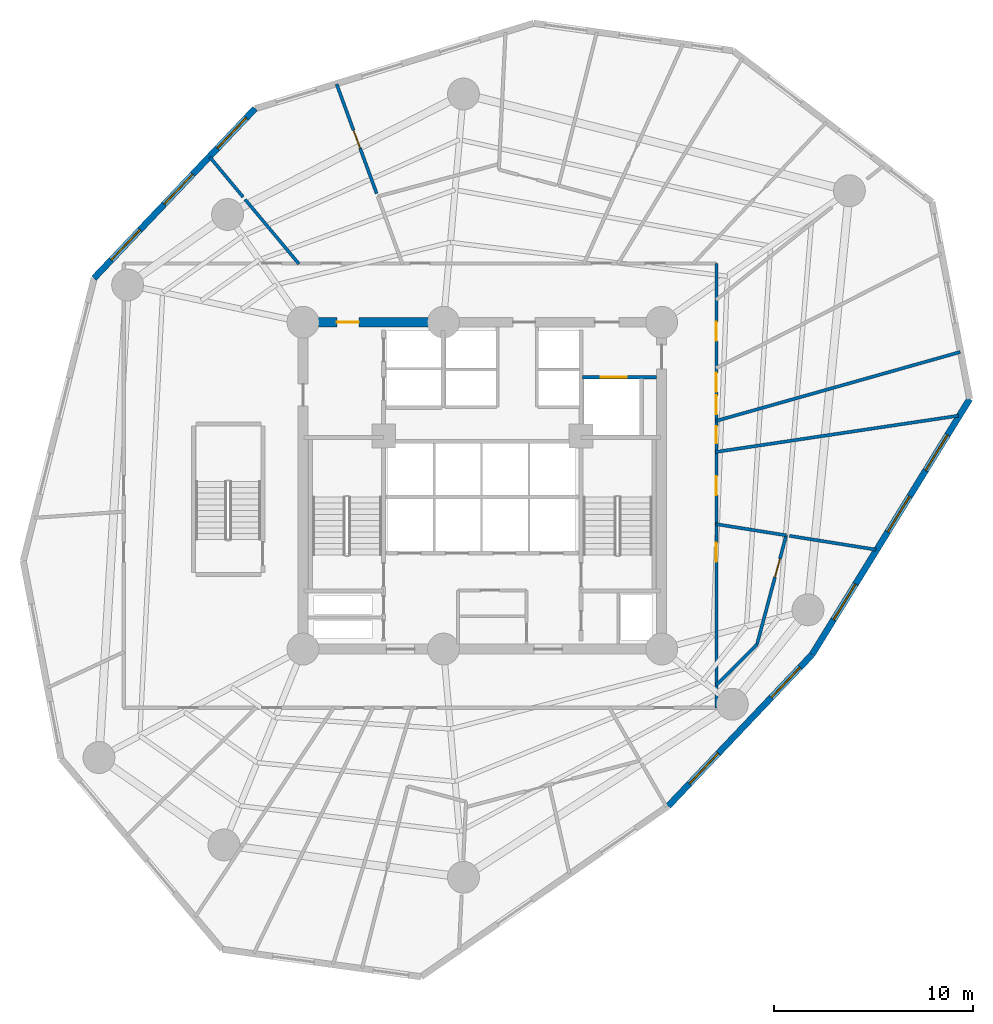
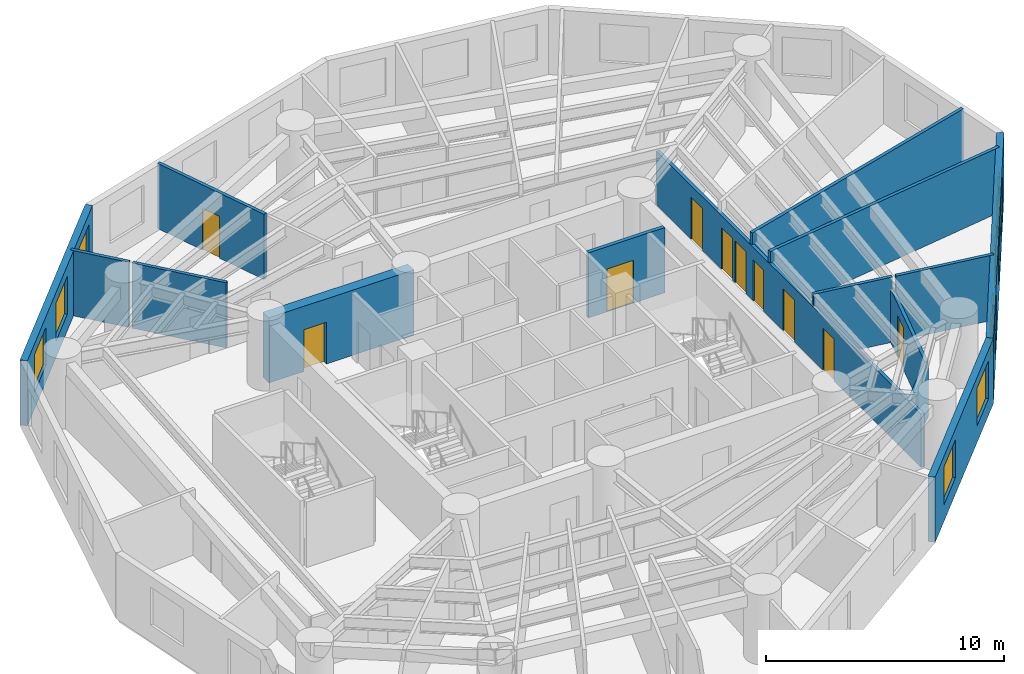
# One storey, part 5 of 8: 15 walls, 10 doors, 8 windows, 18 openings.
"""IFC4 building model written with IfcOpenShell, lengths in metres."""

from ifc_helpers import new_model, si_unit, direction, frame, frame_2d, origin, origin_with_axes, place, context, subcontext, project, spatial, rectangle, extrude, source, transform, mapped, material, layer, layer_set, type_object, element, fill, save


model = new_model("IFC4")

# Units and contexts
model_context = context("Model", 3, precision=1e-05, world=origin(), true_north=direction((0.0, 1.0)))
body_context = subcontext(model_context, "Body", "Model", "MODEL_VIEW")
ifc_project = project(units=[si_unit("LENGTHUNIT", "METRE"), si_unit("AREAUNIT", "SQUARE_METRE"), si_unit("VOLUMEUNIT", "CUBIC_METRE"), si_unit("PLANEANGLEUNIT", "RADIAN"), si_unit("MASSUNIT", "GRAM", prefix="KILO")], contexts=[model_context])

# Site, building, storey
site_placement = place(None, origin())
site = spatial("IfcSite", under=ifc_project, at=site_placement, CompositionType="ELEMENT")
building_placement = place(site_placement, origin())
building = spatial("IfcBuilding", under=site, at=building_placement, Name="Karkom Vertical University and Central Library", CompositionType="ELEMENT")
storey_placement = place(building_placement, frame((0.0, 0.0, 76.89990234375)))
storey = spatial("IfcBuildingStorey", under=building, at=storey_placement, Name="L20", CompositionType="ELEMENT", Elevation=76.89990234375)

# Wall, openings, windows
ifc_material_1 = material(Name="Brick-faced precast concrete C45/55", Category="masonry")
ifc_layer_1 = layer(ifc_material_1, 0.320068359375)
ifc_layer_set_1 = layer_set([ifc_layer_1], Name="Brick-faced precast concrete C45/55")
wall_type_1 = type_object("IfcWallType", Name="ENV-WL-BRK-320", PredefinedType="SOLIDWALL", material=ifc_layer_set_1)
wall_1_placement = place(storey_placement, frame((17.094970703125, 45.425537109375, 0.0), z_axis=(0.0, 0.0, 1.0), x_axis=(-0.688601333213, -0.725140127077, 0.0)))
wall_1 = element("IfcWall", 1, at=wall_1_placement, inside=storey, type_object=wall_type_1, Name="Level 20 Brick-Faced Precast Facade Wall 01", PredefinedType="SOLIDWALL", context=body_context, shape_type="SweptSolid", body=[
    extrude(rectangle(XDim=11.73974609375, YDim=0.320068359375, at=frame_2d((5.869873046875, 0.0))), origin(), (0.0, 0.0, 1.0), 3.35009765625),
])
opening_1_placement = place(wall_1_placement, frame((0.647705078125, 0.0, 0.85009765625)))
opening_1 = element("IfcOpeningElement", 2, at=opening_1_placement, cuts=wall_1, Name="Opening WN-03", PredefinedType="OPENING", context=body_context, shape_type="SweptSolid", body=[
    extrude(rectangle(XDim=2.10009765625, YDim=1.949951171875, at=frame_2d((1.050048828125, 0.97509765625))), frame((0.0, 0.169921875, 0.0), z_axis=(0.0, -1.0, 0.0), x_axis=(1.0, 0.0, 0.0)), (0.0, 0.0, 1.0), 0.340087890625),
])
opening_2_placement = place(wall_1_placement, frame((4.53125, 0.0, 0.85009765625)))
opening_2 = element("IfcOpeningElement", 3, at=opening_2_placement, cuts=wall_1, Name="Opening WN-03", PredefinedType="OPENING", context=body_context, shape_type="SweptSolid", body=[
    extrude(rectangle(XDim=2.10009765625, YDim=1.949951171875, at=frame_2d((1.050048828125, 0.97509765625))), frame((0.0, 0.169921875, 0.0), z_axis=(0.0, -1.0, 0.0), x_axis=(1.0, 0.0, 0.0)), (0.0, 0.0, 1.0), 0.340087890625),
])
opening_3_placement = place(wall_1_placement, frame((8.383544921875, 0.0, 0.85009765625)))
opening_3 = element("IfcOpeningElement", 4, at=opening_3_placement, cuts=wall_1, Name="Opening WN-03", PredefinedType="OPENING", context=body_context, shape_type="SweptSolid", body=[
    extrude(rectangle(XDim=2.10009765625, YDim=1.949951171875, at=frame_2d((1.050048828125, 0.97509765625))), frame((0.0, 0.169921875, 0.0), z_axis=(0.0, -1.0, 0.0), x_axis=(1.0, 0.0, 0.0)), (0.0, 0.0, 1.0), 0.340087890625),
])
ifc_material_2 = material(Name="Aluminium thermal-break frame with solar-control IGU", Category="aluminium")
window_type = type_object("IfcWindowType", Name="ENV-WIN-WN-03", PartitioningType="SINGLE_PANEL", PredefinedType="WINDOW", material=ifc_material_2)
shared_shape_1 = source(origin_with_axes(), body_context, "Body", "SweptSolid", [
    extrude(rectangle(XDim=2.10009765625, YDim=1.949951171875, at=frame_2d((1.050048828125, 0.97509765625))), frame((0.0, 0.030029296875, 0.0), z_axis=(0.0, -1.0, 0.0), x_axis=(1.0, 0.0, 0.0)), (0.0, 0.0, 1.0), 0.06005859375),
])
window_1_placement = place(opening_1_placement, origin())
window_1 = element("IfcWindow", 5, at=window_1_placement, inside=storey, type_object=window_type, Name="Level 20 Punched Window 1.1", OverallHeight=1.949951171875, OverallWidth=2.10009765625, PartitioningType="SINGLE_PANEL", PredefinedType="WINDOW", context=body_context, shape_type="MappedRepresentation", body=[
    mapped(shared_shape_1, transform((0.0, 0.0, 0.0), scale=1.0)),
])
fill(opening_1, window_1)
window_2_placement = place(opening_2_placement, origin())
window_2 = element("IfcWindow", 6, at=window_2_placement, inside=storey, type_object=window_type, Name="Level 20 Punched Window 1.2", OverallHeight=1.949951171875, OverallWidth=2.10009765625, PartitioningType="SINGLE_PANEL", PredefinedType="WINDOW", context=body_context, shape_type="MappedRepresentation", body=[
    mapped(shared_shape_1, transform((0.0, 0.0, 0.0), scale=1.0)),
])
fill(opening_2, window_2)
window_3_placement = place(opening_3_placement, origin())
window_3 = element("IfcWindow", 7, at=window_3_placement, inside=storey, type_object=window_type, Name="Level 20 Punched Window 1.3", OverallHeight=1.949951171875, OverallWidth=2.10009765625, PartitioningType="SINGLE_PANEL", PredefinedType="WINDOW", context=body_context, shape_type="MappedRepresentation", body=[
    mapped(shared_shape_1, transform((0.0, 0.0, 0.0), scale=1.0)),
])
fill(opening_3, window_3)

wall_2_placement = place(storey_placement, frame((37.825439453125, 10.417236328125, 0.0), z_axis=(0.0, 0.0, 1.0), x_axis=(0.688609262867, 0.725132596905, 0.0)))
wall_2 = element("IfcWall", 8, at=wall_2_placement, inside=storey, type_object=wall_type_1, Name="Level 20 Brick-Faced Precast Facade Wall 07", PredefinedType="SOLIDWALL", context=body_context, shape_type="SweptSolid", body=[
    extrude(rectangle(XDim=10.481201171875, YDim=0.320068359375, at=frame_2d((5.24072265625, 0.0))), origin(), (0.0, 0.0, 1.0), 3.35009765625),
])
opening_4_placement = place(wall_2_placement, frame((1.552490234375, 0.0, 0.85009765625)))
opening_4 = element("IfcOpeningElement", 9, at=opening_4_placement, cuts=wall_2, Name="Opening WN-03", PredefinedType="OPENING", context=body_context, shape_type="SweptSolid", body=[
    extrude(rectangle(XDim=2.10009765625, YDim=1.949951171875, at=frame_2d((1.050048828125, 0.97509765625))), frame((0.0, 0.169921875, 0.0), z_axis=(0.0, -1.0, 0.0), x_axis=(1.0, 0.0, 0.0)), (0.0, 0.0, 1.0), 0.340087890625),
])
opening_5_placement = place(wall_2_placement, frame((7.51318359375, 0.0, 0.85009765625)))
opening_5 = element("IfcOpeningElement", 10, at=opening_5_placement, cuts=wall_2, Name="Opening WN-03", PredefinedType="OPENING", context=body_context, shape_type="SweptSolid", body=[
    extrude(rectangle(XDim=2.10009765625, YDim=1.949951171875, at=frame_2d((1.050048828125, 0.97509765625))), frame((0.0, 0.169921875, 0.0), z_axis=(0.0, -1.0, 0.0), x_axis=(1.0, 0.0, 0.0)), (0.0, 0.0, 1.0), 0.340087890625),
])
window_4_placement = place(opening_4_placement, origin())
window_4 = element("IfcWindow", 11, at=window_4_placement, inside=storey, type_object=window_type, Name="Level 20 Punched Window 7.1", OverallHeight=1.949951171875, OverallWidth=2.10009765625, PartitioningType="SINGLE_PANEL", PredefinedType="WINDOW", context=body_context, shape_type="MappedRepresentation", body=[
    mapped(shared_shape_1, transform((0.0, 0.0, 0.0), scale=1.0)),
])
fill(opening_4, window_4)
window_5_placement = place(opening_5_placement, origin())
window_5 = element("IfcWindow", 12, at=window_5_placement, inside=storey, type_object=window_type, Name="Level 20 Punched Window 7.2", OverallHeight=1.949951171875, OverallWidth=2.10009765625, PartitioningType="SINGLE_PANEL", PredefinedType="WINDOW", context=body_context, shape_type="MappedRepresentation", body=[
    mapped(shared_shape_1, transform((0.0, 0.0, 0.0), scale=1.0)),
])
fill(opening_5, window_5)

wall_3_placement = place(storey_placement, frame((45.04296875, 18.017578125, 0.0), z_axis=(0.0, 0.0, 1.0), x_axis=(0.525018733496, 0.851090670539, 0.0)))
wall_3 = element("IfcWall", 13, at=wall_3_placement, inside=storey, type_object=wall_type_1, Name="Level 20 Brick-Faced Precast Facade Wall 08", PredefinedType="SOLIDWALL", context=body_context, shape_type="SweptSolid", body=[
    extrude(rectangle(XDim=15.07568359375, YDim=0.320068359375, at=frame_2d((7.537841796875, 0.0))), origin(), (0.0, 0.0, 1.0), 3.35009765625),
])
opening_6_placement = place(wall_3_placement, frame((2.060302734375, 0.0, 0.85009765625)))
opening_6 = element("IfcOpeningElement", 14, at=opening_6_placement, cuts=wall_3, Name="Opening WN-03", PredefinedType="OPENING", context=body_context, shape_type="SweptSolid", body=[
    extrude(rectangle(XDim=2.10009765625, YDim=1.949951171875, at=frame_2d((1.050048828125, 0.97509765625))), frame((0.0, 0.169921875, 0.0), z_axis=(0.0, -1.0, 0.0), x_axis=(1.0, 0.0, 0.0)), (0.0, 0.0, 1.0), 0.340087890625),
])
opening_7_placement = place(wall_3_placement, frame((7.241455078125, 0.0, 0.85009765625)))
opening_7 = element("IfcOpeningElement", 15, at=opening_7_placement, cuts=wall_3, Name="Opening WN-03", PredefinedType="OPENING", context=body_context, shape_type="SweptSolid", body=[
    extrude(rectangle(XDim=2.10009765625, YDim=1.949951171875, at=frame_2d((1.050048828125, 0.97509765625))), frame((0.0, 0.169921875, 0.0), z_axis=(0.0, -1.0, 0.0), x_axis=(1.0, 0.0, 0.0)), (0.0, 0.0, 1.0), 0.340087890625),
])
opening_8_placement = place(wall_3_placement, frame((10.86328125, 0.0, 0.85009765625)))
opening_8 = element("IfcOpeningElement", 16, at=opening_8_placement, cuts=wall_3, Name="Opening WN-03", PredefinedType="OPENING", context=body_context, shape_type="SweptSolid", body=[
    extrude(rectangle(XDim=2.10009765625, YDim=1.949951171875, at=frame_2d((1.050048828125, 0.97509765625))), frame((0.0, 0.169921875, 0.0), z_axis=(0.0, -1.0, 0.0), x_axis=(1.0, 0.0, 0.0)), (0.0, 0.0, 1.0), 0.340087890625),
])
window_6_placement = place(opening_6_placement, origin())
window_6 = element("IfcWindow", 17, at=window_6_placement, inside=storey, type_object=window_type, Name="Level 20 Punched Window 8.1", OverallHeight=1.949951171875, OverallWidth=2.10009765625, PartitioningType="SINGLE_PANEL", PredefinedType="WINDOW", context=body_context, shape_type="MappedRepresentation", body=[
    mapped(shared_shape_1, transform((0.0, 0.0, 0.0), scale=1.0)),
])
fill(opening_6, window_6)
window_7_placement = place(opening_7_placement, origin())
window_7 = element("IfcWindow", 18, at=window_7_placement, inside=storey, type_object=window_type, Name="Level 20 Punched Window 8.2", OverallHeight=1.949951171875, OverallWidth=2.10009765625, PartitioningType="SINGLE_PANEL", PredefinedType="WINDOW", context=body_context, shape_type="MappedRepresentation", body=[
    mapped(shared_shape_1, transform((0.0, 0.0, 0.0), scale=1.0)),
])
fill(opening_7, window_7)
window_8_placement = place(opening_8_placement, origin())
window_8 = element("IfcWindow", 19, at=window_8_placement, inside=storey, type_object=window_type, Name="Level 20 Punched Window 8.3", OverallHeight=1.949951171875, OverallWidth=2.10009765625, PartitioningType="SINGLE_PANEL", PredefinedType="WINDOW", context=body_context, shape_type="MappedRepresentation", body=[
    mapped(shared_shape_1, transform((0.0, 0.0, 0.0), scale=1.0)),
])
fill(opening_8, window_8)

# Wall, openings, doors
ifc_material_3 = material(Name="Insulated metal-stud drywall 160mm", Category="gypsum")
ifc_layer_2 = layer(ifc_material_3, 0.159912109375)
ifc_layer_set_2 = layer_set([ifc_layer_2], Name="Insulated metal-stud drywall 160mm")
wall_type_2 = type_object("IfcWallType", Name="INT-WL-COR-160", PredefinedType="PARTITIONING", material=ifc_layer_set_2)
wall_4_placement = place(storey_placement, frame((40.25, 37.64990234375, 0.0), z_axis=(0.0, 0.0, 1.0), x_axis=(0.0, -1.0, 0.0)))
wall_4 = element("IfcWall", 20, at=wall_4_placement, inside=storey, type_object=wall_type_2, Name="Level 20 Interior Partition Wall L20-CORW-CW-004", PredefinedType="PARTITIONING", context=body_context, shape_type="SweptSolid", body=[
    extrude(rectangle(XDim=22.2998046875, YDim=0.159912109375, at=frame_2d((11.14990234375, 0.0))), origin(), (0.0, 0.0, 1.0), 2.75),
])
opening_9_placement = place(wall_4_placement, frame((14.02001953125, 0.0, 0.0)))
opening_9 = element("IfcOpeningElement", 21, at=opening_9_placement, cuts=wall_4, Name="Opening D-RM1", PredefinedType="OPENING", context=body_context, shape_type="SweptSolid", body=[
    extrude(rectangle(XDim=0.949951171875, YDim=2.14990234375, at=frame_2d((0.47509765625, 1.074951171875))), frame((0.0, 0.08984375, 0.0), z_axis=(0.0, -1.0, 0.0), x_axis=(1.0, 0.0, 0.0)), (0.0, 0.0, 1.0), 0.179931640625),
])
opening_10_placement = place(wall_4_placement, frame((10.675048828125, 0.0, 0.0)))
opening_10 = element("IfcOpeningElement", 22, at=opening_10_placement, cuts=wall_4, Name="Opening D-RM1", PredefinedType="OPENING", context=body_context, shape_type="SweptSolid", body=[
    extrude(rectangle(XDim=0.949951171875, YDim=2.14990234375, at=frame_2d((0.47509765625, 1.074951171875))), frame((0.0, 0.08984375, 0.0), z_axis=(0.0, -1.0, 0.0), x_axis=(1.0, 0.0, 0.0)), (0.0, 0.0, 1.0), 0.179931640625),
])
opening_11_placement = place(wall_4_placement, frame((8.1669921875, 0.0, 0.0)))
opening_11 = element("IfcOpeningElement", 23, at=opening_11_placement, cuts=wall_4, Name="Opening D-BATH", PredefinedType="OPENING", context=body_context, shape_type="SweptSolid", body=[
    extrude(rectangle(XDim=0.860107421875, YDim=2.10009765625, at=frame_2d((0.43017578125, 1.050048828125))), frame((0.0, 0.08984375, 0.0), z_axis=(0.0, -1.0, 0.0), x_axis=(1.0, 0.0, 0.0)), (0.0, 0.0, 1.0), 0.179931640625),
])
opening_12_placement = place(wall_4_placement, frame((5.489990234375, 0.0, 0.0)))
opening_12 = element("IfcOpeningElement", 24, at=opening_12_placement, cuts=wall_4, Name="Opening D-RM1", PredefinedType="OPENING", context=body_context, shape_type="SweptSolid", body=[
    extrude(rectangle(XDim=0.949951171875, YDim=2.14990234375, at=frame_2d((0.47509765625, 1.074951171875))), frame((0.0, 0.08984375, 0.0), z_axis=(0.0, -1.0, 0.0), x_axis=(1.0, 0.0, 0.0)), (0.0, 0.0, 1.0), 0.179931640625),
])
opening_13_placement = place(wall_4_placement, frame((2.931884765625, 0.0, 0.0)))
opening_13 = element("IfcOpeningElement", 25, at=opening_13_placement, cuts=wall_4, Name="Opening D-RM1", PredefinedType="OPENING", context=body_context, shape_type="SweptSolid", body=[
    extrude(rectangle(XDim=0.949951171875, YDim=2.14990234375, at=frame_2d((0.47509765625, 1.074951171875))), frame((0.0, 0.08984375, 0.0), z_axis=(0.0, -1.0, 0.0), x_axis=(1.0, 0.0, 0.0)), (0.0, 0.0, 1.0), 0.179931640625),
])
opening_14_placement = place(wall_4_placement, frame((6.622314453125, 0.0, 0.0)))
opening_14 = element("IfcOpeningElement", 26, at=opening_14_placement, cuts=wall_4, Name="Opening D-RM1", PredefinedType="OPENING", context=body_context, shape_type="SweptSolid", body=[
    extrude(rectangle(XDim=0.949951171875, YDim=2.14990234375, at=frame_2d((0.47509765625, 1.074951171875))), frame((0.0, 0.08984375, 0.0), z_axis=(0.0, -1.0, 0.0), x_axis=(1.0, 0.0, 0.0)), (0.0, 0.0, 1.0), 0.179931640625),
])
ifc_material_4 = material(Name="Moisture-resistant oak door", Category="wood")
door_type_1 = type_object("IfcDoorType", Name="INT-DR-BATH", OperationType="NOTDEFINED", PredefinedType="DOOR", material=ifc_material_4)
shared_shape_2 = source(origin_with_axes(), body_context, "Body", "SweptSolid", [
    extrude(rectangle(XDim=0.860107421875, YDim=2.10009765625, at=frame_2d((0.43017578125, 1.050048828125))), frame((0.0, 0.02490234375, 0.0), z_axis=(0.0, -1.0, 0.0), x_axis=(1.0, 0.0, 0.0)), (0.0, 0.0, 1.0), 0.050048828125),
])
door_1_placement = place(opening_11_placement, origin())
door_1 = element("IfcDoor", 27, at=door_1_placement, inside=storey, type_object=door_type_1, Name="Level 20 Room Entry Door 130", OperationType="SINGLE_SWING_LEFT", OverallHeight=2.10009765625, OverallWidth=0.860107421875, PredefinedType="DOOR", context=body_context, shape_type="MappedRepresentation", body=[
    mapped(shared_shape_2, transform((0.0, 0.0, 0.0), scale=1.0)),
])
fill(opening_11, door_1)
ifc_material_5 = material(Name="Solid-core oak veneer door", Category="wood")
door_type_2 = type_object("IfcDoorType", Name="INT-DR-RM1", OperationType="NOTDEFINED", PredefinedType="DOOR", material=ifc_material_5)
shared_shape_3 = source(origin_with_axes(), body_context, "Body", "SweptSolid", [
    extrude(rectangle(XDim=0.949951171875, YDim=2.14990234375, at=frame_2d((0.47509765625, 1.074951171875))), frame((0.0, 0.02490234375, 0.0), z_axis=(0.0, -1.0, 0.0), x_axis=(1.0, 0.0, 0.0)), (0.0, 0.0, 1.0), 0.050048828125),
])
door_2_placement = place(opening_9_placement, origin())
door_2 = element("IfcDoor", 28, at=door_2_placement, inside=storey, type_object=door_type_2, Name="Level 20 Room Entry Door 100", OperationType="SINGLE_SWING_LEFT", OverallHeight=2.14990234375, OverallWidth=0.949951171875, PredefinedType="DOOR", context=body_context, shape_type="MappedRepresentation", body=[
    mapped(shared_shape_3, transform((0.0, 0.0, 0.0), scale=1.0)),
])
fill(opening_9, door_2)
door_3_placement = place(opening_10_placement, origin())
door_3 = element("IfcDoor", 29, at=door_3_placement, inside=storey, type_object=door_type_2, Name="Level 20 Room Entry Door 120", OperationType="SINGLE_SWING_RIGHT", OverallHeight=2.14990234375, OverallWidth=0.949951171875, PredefinedType="DOOR", context=body_context, shape_type="MappedRepresentation", body=[
    mapped(shared_shape_3, transform((0.0, 0.0, 0.0), scale=1.0)),
])
fill(opening_10, door_3)
door_4_placement = place(opening_12_placement, origin())
door_4 = element("IfcDoor", 30, at=door_4_placement, inside=storey, type_object=door_type_2, Name="Level 20 Room Entry Door 140", OperationType="SINGLE_SWING_RIGHT", OverallHeight=2.14990234375, OverallWidth=0.949951171875, PredefinedType="DOOR", context=body_context, shape_type="MappedRepresentation", body=[
    mapped(shared_shape_3, transform((0.0, 0.0, 0.0), scale=1.0)),
])
fill(opening_12, door_4)
door_5_placement = place(opening_13_placement, origin())
door_5 = element("IfcDoor", 31, at=door_5_placement, inside=storey, type_object=door_type_2, Name="Level 20 Room Entry Door 150", OperationType="SINGLE_SWING_LEFT", OverallHeight=2.14990234375, OverallWidth=0.949951171875, PredefinedType="DOOR", context=body_context, shape_type="MappedRepresentation", body=[
    mapped(shared_shape_3, transform((0.0, 0.0, 0.0), scale=1.0)),
])
fill(opening_13, door_5)
door_6_placement = place(opening_14_placement, origin())
door_6 = element("IfcDoor", 32, at=door_6_placement, inside=storey, type_object=door_type_2, Name="Level 20 Room Entry Door 160", OperationType="SINGLE_SWING_RIGHT", OverallHeight=2.14990234375, OverallWidth=0.949951171875, PredefinedType="DOOR", context=body_context, shape_type="MappedRepresentation", body=[
    mapped(shared_shape_3, transform((0.0, 0.0, 0.0), scale=1.0)),
])
fill(opening_14, door_6)

# Walls
wall_5_placement = place(storey_placement, frame((40.22119140625, 29.74658203125, 0.0), z_axis=(0.0, 0.0, 1.0), x_axis=(0.962391240029, 0.271667261766, 0.0)))
element("IfcWall", 33, at=wall_5_placement, inside=storey, type_object=wall_type_2, Name="Level 20 Interior Partition Wall L20-PW-021", PredefinedType="PARTITIONING", context=body_context, shape_type="SweptSolid", body=[
    extrude(rectangle(XDim=12.739501953125, YDim=0.159912109375, at=frame_2d((6.36962890625, 0.0))), origin(), (0.0, 0.0, 1.0), 3.35009765625),
])
wall_6_placement = place(storey_placement, frame((40.20556640625, 28.18896484375, 0.0), z_axis=(0.0, 0.0, 1.0), x_axis=(0.989013522668, 0.147825072233, 0.0)))
element("IfcWall", 34, at=wall_6_placement, inside=storey, type_object=wall_type_2, Name="Level 20 Interior Partition Wall L20-PW-020", PredefinedType="PARTITIONING", context=body_context, shape_type="SweptSolid", body=[
    extrude(rectangle(XDim=12.323974609375, YDim=0.159912109375, at=frame_2d((6.162109375, 0.0))), origin(), (0.0, 0.0, 1.0), 3.35009765625),
])

# Wall, opening, door
wall_7_placement = place(storey_placement, frame((23.1962890625, 41.16162109375, 0.0), z_axis=(0.0, 0.0, 1.0), x_axis=(-0.343750376803, 0.939061062151, 0.0)))
wall_7 = element("IfcWall", 35, at=wall_7_placement, inside=storey, type_object=wall_type_2, Name="Level 20 Interior Partition Wall L20-PW-034", PredefinedType="PARTITIONING", context=body_context, shape_type="SweptSolid", body=[
    extrude(rectangle(XDim=5.847412109375, YDim=0.159912109375, at=frame_2d((2.923828125, 0.0))), origin(), (0.0, 0.0, 1.0), 3.35009765625),
])
opening_15_placement = place(wall_7_placement, frame((2.43115234375, 0.0, 0.0)))
opening_15 = element("IfcOpeningElement", 36, at=opening_15_placement, cuts=wall_7, Name="Opening D-RM1", PredefinedType="OPENING", context=body_context, shape_type="SweptSolid", body=[
    extrude(rectangle(XDim=0.949951171875, YDim=2.14990234375, at=frame_2d((0.47509765625, 1.074951171875))), frame((0.0, 0.08984375, 0.0), z_axis=(0.0, -1.0, 0.0), x_axis=(1.0, 0.0, 0.0)), (0.0, 0.0, 1.0), 0.179931640625),
])
door_7_placement = place(opening_15_placement, origin())
door_7 = element("IfcDoor", 37, at=door_7_placement, inside=storey, type_object=door_type_2, Name="Level 20 Room Entry Door 220", OperationType="SINGLE_SWING_LEFT", OverallHeight=2.14990234375, OverallWidth=0.949951171875, PredefinedType="DOOR", context=body_context, shape_type="MappedRepresentation", body=[
    mapped(shared_shape_3, transform((0.0, 0.0, 0.0), scale=1.0)),
])
fill(opening_15, door_7)

wall_8_placement = place(storey_placement, frame((43.749267578125, 24.007080078125, 0.0), z_axis=(0.0, 0.0, 1.0), x_axis=(-0.258836010218, -0.96592128034, 0.0)))
wall_8 = element("IfcWall", 38, at=wall_8_placement, inside=storey, type_object=wall_type_2, Name="Level 20 Interior Partition Wall L20-PW-016", PredefinedType="PARTITIONING", context=body_context, shape_type="SweptSolid", body=[
    extrude(rectangle(XDim=5.658447265625, YDim=0.159912109375, at=frame_2d((2.8291015625, 0.0))), origin(), (0.0, 0.0, 1.0), 2.75),
])
opening_16_placement = place(wall_8_placement, frame((1.21435546875, 0.0, 0.0)))
opening_16 = element("IfcOpeningElement", 39, at=opening_16_placement, cuts=wall_8, Name="Opening D-RM1", PredefinedType="OPENING", context=body_context, shape_type="SweptSolid", body=[
    extrude(rectangle(XDim=0.949951171875, YDim=2.14990234375, at=frame_2d((0.47509765625, 1.074951171875))), frame((0.0, 0.08984375, 0.0), z_axis=(0.0, -1.0, 0.0), x_axis=(1.0, 0.0, 0.0)), (0.0, 0.0, 1.0), 0.179931640625),
])
door_8_placement = place(opening_16_placement, origin())
door_8 = element("IfcDoor", 40, at=door_8_placement, inside=storey, type_object=door_type_2, Name="Level 20 Room Entry Door 110", OperationType="SINGLE_SWING_RIGHT", OverallHeight=2.14990234375, OverallWidth=0.949951171875, PredefinedType="DOOR", context=body_context, shape_type="MappedRepresentation", body=[
    mapped(shared_shape_3, transform((0.0, 0.0, 0.0), scale=1.0)),
])
fill(opening_16, door_8)

# Walls
wall_9_placement = place(storey_placement, frame((43.907958984375, 23.98193359375, 0.0), z_axis=(0.0, 0.0, 1.0), x_axis=(0.98751279875, -0.157538796187, 0.0)))
element("IfcWall", 41, at=wall_9_placement, inside=storey, type_object=wall_type_2, Name="Level 20 Interior Partition Wall L20-PW-019", PredefinedType="PARTITIONING", context=body_context, shape_type="SweptSolid", body=[
    extrude(rectangle(XDim=4.40576171875, YDim=0.159912109375, at=frame_2d((2.202880859375, 0.0))), origin(), (0.0, 0.0, 1.0), 3.35009765625),
])
wall_10_placement = place(storey_placement, frame((19.295654296875, 37.626953125, 0.0), z_axis=(0.0, 0.0, 1.0), x_axis=(-0.64061705383, 0.767860527923, 0.0)))
element("IfcWall", 42, at=wall_10_placement, inside=storey, type_object=wall_type_2, Name="Level 20 Interior Partition Wall L20-PW-035", PredefinedType="PARTITIONING", context=body_context, shape_type="SweptSolid", body=[
    extrude(rectangle(XDim=4.21728515625, YDim=0.159912109375, at=frame_2d((2.108642578125, 0.0))), origin(), (0.0, 0.0, 1.0), 3.35009765625),
])
wall_11_placement = place(storey_placement, frame((40.220458984375, 24.570068359375, 0.0), z_axis=(0.0, 0.0, 1.0), x_axis=(0.98751130527, -0.1575481576, 0.0)))
element("IfcWall", 43, at=wall_11_placement, inside=storey, type_object=wall_type_2, Name="Level 20 Interior Partition Wall L20-PW-018", PredefinedType="PARTITIONING", context=body_context, shape_type="SweptSolid", body=[
    extrude(rectangle(XDim=3.573486328125, YDim=0.159912109375, at=frame_2d((1.78662109375, 0.0))), origin(), (0.0, 0.0, 1.0), 3.35009765625),
])
wall_12_placement = place(storey_placement, frame((42.28466796875, 18.54150390625, 0.0), z_axis=(0.0, 0.0, 1.0), x_axis=(-0.707106781187, -0.707106781187, 0.0)))
element("IfcWall", 44, at=wall_12_placement, inside=storey, type_object=wall_type_2, Name="Level 20 Interior Partition Wall L20-PW-017", PredefinedType="PARTITIONING", context=body_context, shape_type="SweptSolid", body=[
    extrude(rectangle(XDim=2.907470703125, YDim=0.159912109375, at=frame_2d((1.45361328125, 0.0))), origin(), (0.0, 0.0, 1.0), 2.75),
])
wall_13_placement = place(storey_placement, frame((16.493408203125, 40.986083984375, 0.0), z_axis=(0.0, 0.0, 1.0), x_axis=(-0.640607068833, 0.767868858179, 0.0)))
element("IfcWall", 45, at=wall_13_placement, inside=storey, type_object=wall_type_2, Name="Level 20 Interior Partition Wall L20-PW-036", PredefinedType="PARTITIONING", context=body_context, shape_type="SweptSolid", body=[
    extrude(rectangle(XDim=2.61279296875, YDim=0.159912109375, at=frame_2d((1.306396484375, 0.0))), origin(), (0.0, 0.0, 1.0), 3.35009765625),
])

# Wall, opening, door
ifc_material_6 = material(Name="Twin-stud acoustic drywall 180mm", Category="gypsum")
ifc_layer_3 = layer(ifc_material_6, 0.179931640625)
ifc_layer_set_3 = layer_set([ifc_layer_3], Name="Twin-stud acoustic drywall 180mm")
wall_type_3 = type_object("IfcWallType", Name="INT-WL-TEN-180F", PredefinedType="PARTITIONING", material=ifc_layer_set_3)
wall_14_placement = place(storey_placement, frame((33.534912109375, 31.949951171875, 0.0), z_axis=(0.0, 0.0, 1.0), x_axis=(1.0, 0.0, 0.0)))
wall_14 = element("IfcWall", 46, at=wall_14_placement, inside=storey, type_object=wall_type_3, Name="Level 20 Interior Partition Wall L20-CW-SVL-N", PredefinedType="PARTITIONING", context=body_context, shape_type="SweptSolid", body=[
    extrude(rectangle(XDim=3.708740234375, YDim=0.179931640625, at=frame_2d((1.8544921875, 0.0))), origin(), (0.0, 0.0, 1.0), 3.35009765625),
])
opening_17_placement = place(wall_14_placement, frame((0.89990234375, 0.0, 0.0)))
opening_17 = element("IfcOpeningElement", 47, at=opening_17_placement, cuts=wall_14, Name="Opening LD-SV1", PredefinedType="OPENING", context=body_context, shape_type="SweptSolid", body=[
    extrude(rectangle(XDim=1.300048828125, YDim=2.199951171875, at=frame_2d((0.64990234375, 1.10009765625))), frame((0.0, 0.10009765625, 0.0), z_axis=(0.0, -1.0, 0.0), x_axis=(1.0, 0.0, 0.0)), (0.0, 0.0, 1.0), 0.199951171875),
])
ifc_material_7 = material(Name="Brushed stainless-steel landing door", Category="steel")
door_type_3 = type_object("IfcDoorType", Name="INT-DR-LD-SV1", OperationType="SLIDING_TO_LEFT", PredefinedType="DOOR", material=ifc_material_7)
shared_shape_4 = source(origin_with_axes(), body_context, "Body", "SweptSolid", [
    extrude(rectangle(XDim=1.300048828125, YDim=2.199951171875, at=frame_2d((0.64990234375, 1.10009765625))), frame((0.0, 0.02490234375, 0.0), z_axis=(0.0, -1.0, 0.0), x_axis=(1.0, 0.0, 0.0)), (0.0, 0.0, 1.0), 0.050048828125),
])
door_9_placement = place(opening_17_placement, origin())
door_9 = element("IfcDoor", 48, at=door_9_placement, inside=storey, type_object=door_type_3, Name="Level 20 Service Lift Landing Door LD-SV1", OperationType="SLIDING_TO_LEFT", OverallHeight=2.199951171875, OverallWidth=1.300048828125, PredefinedType="DOOR", context=body_context, shape_type="MappedRepresentation", body=[
    mapped(shared_shape_4, transform((0.0, 0.0, 0.0), scale=1.0)),
])
fill(opening_17, door_9)

ifc_material_8 = material(Name="Concrete C50/60", Category="concrete")
ifc_layer_4 = layer(ifc_material_8, 0.5)
ifc_layer_set_4 = layer_set([ifc_layer_4], Name="Concrete C50/60")
wall_type_4 = type_object("IfcWallType", Name="STR-WL-CW-500", PredefinedType="SHEAR", material=ifc_layer_set_4)
wall_15_placement = place(storey_placement, frame((26.550048828125, 34.699951171875, 0.0), z_axis=(0.0, 0.0, 1.0), x_axis=(-1.0, 0.0, 0.0)))
wall_15 = element("IfcWall", 49, at=wall_15_placement, inside=storey, type_object=wall_type_4, Name="Level 20 Central Core Shear Wall NW2", PredefinedType="SHEAR", context=body_context, shape_type="SweptSolid", body=[
    extrude(rectangle(XDim=7.050048828125, YDim=0.5, at=frame_2d((3.52490234375, 0.0))), origin(), (0.0, 0.0, 1.0), 3.35009765625),
])
opening_18_placement = place(wall_15_placement, frame((4.25, 0.0, 0.0)))
opening_18 = element("IfcOpeningElement", 50, at=opening_18_placement, cuts=wall_15, Name="Opening FD-FFL", PredefinedType="OPENING", context=body_context, shape_type="SweptSolid", body=[
    extrude(rectangle(XDim=1.10009765625, YDim=2.14990234375, at=frame_2d((0.550048828125, 1.074951171875))), frame((0.0, 0.260009765625, 0.0), z_axis=(0.0, -1.0, 0.0), x_axis=(1.0, 0.0, 0.0)), (0.0, 0.0, 1.0), 0.52001953125),
])
ifc_material_9 = material(Name="Painted steel smoke-seal fire door", Category="steel")
door_type_4 = type_object("IfcDoorType", Name="INT-DR-FFL", OperationType="NOTDEFINED", PredefinedType="DOOR", material=ifc_material_9)
shared_shape_5 = source(origin_with_axes(), body_context, "Body", "SweptSolid", [
    extrude(rectangle(XDim=1.10009765625, YDim=2.14990234375, at=frame_2d((0.550048828125, 1.074951171875))), frame((0.0, 0.02490234375, 0.0), z_axis=(0.0, -1.0, 0.0), x_axis=(1.0, 0.0, 0.0)), (0.0, 0.0, 1.0), 0.050048828125),
])
door_10_placement = place(opening_18_placement, origin())
door_10 = element("IfcDoor", 51, at=door_10_placement, inside=storey, type_object=door_type_4, Name="Level 20 Firefighting Lobby Door", OperationType="SINGLE_SWING_LEFT", OverallHeight=2.14990234375, OverallWidth=1.10009765625, PredefinedType="DOOR", context=body_context, shape_type="MappedRepresentation", body=[
    mapped(shared_shape_5, transform((0.0, 0.0, 0.0), scale=1.0)),
])
fill(opening_18, door_10)

save(model, "model.ifc")
